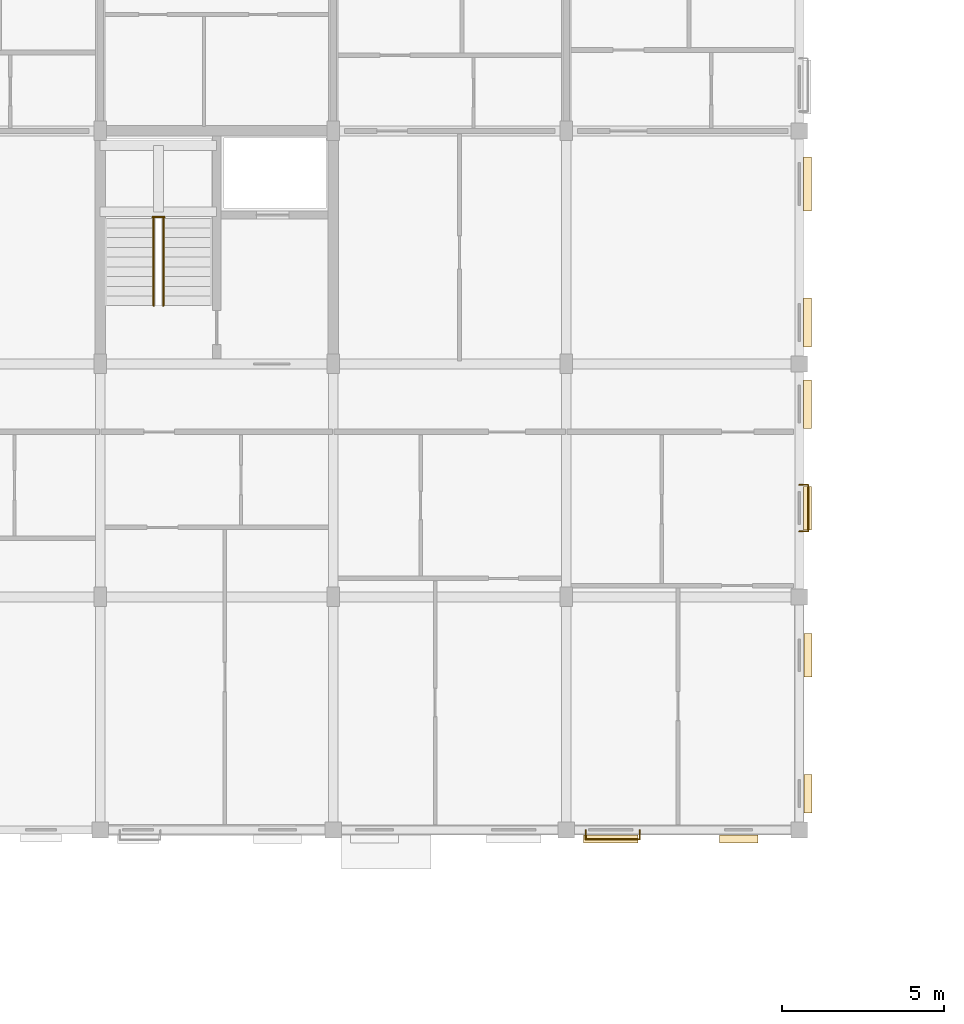
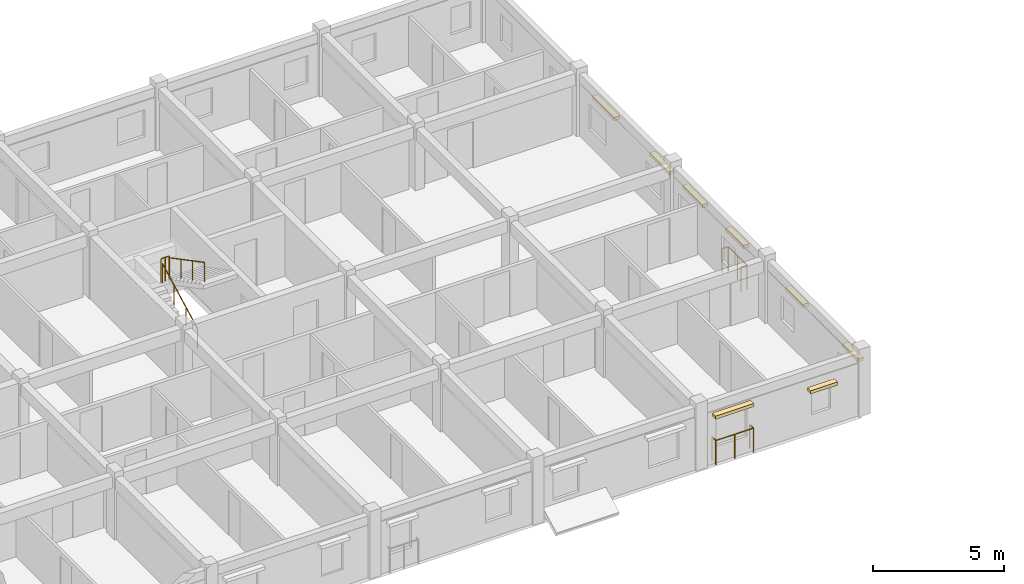
# One storey, part 37 of 38: 8 coverings, 5 railings.
"""IFC4 building model written with IfcOpenShell, lengths in metres."""

from ifc_helpers import new_model, si_unit, direction, frame, origin, origin_2d, place, context, subcontext, project, spatial, rectangle, circle, extrude, material, layer, layer_set, type_object, element, save


model = new_model("IFC4")

# Units and contexts
model_context = context("Model", 3, precision=1e-05, world=origin(), true_north=direction((0.0, 1.0)))
body_context = subcontext(model_context, "Body", "Model", "MODEL_VIEW")
ifc_project = project(units=[si_unit("LENGTHUNIT", "METRE"), si_unit("AREAUNIT", "SQUARE_METRE"), si_unit("VOLUMEUNIT", "CUBIC_METRE"), si_unit("PLANEANGLEUNIT", "RADIAN"), si_unit("MASSUNIT", "GRAM", prefix="KILO"), si_unit("THERMODYNAMICTEMPERATUREUNIT", "KELVIN"), si_unit("POWERUNIT", "WATT")], contexts=[model_context])

# Site, building, storey
site_placement = place(None, origin())
site = spatial("IfcSite", under=ifc_project, at=site_placement, CompositionType="ELEMENT")
building_placement = place(site_placement, origin())
building = spatial("IfcBuilding", under=site, at=building_placement, Name="Tavuni Mirador Residences", CompositionType="ELEMENT")
storey_placement = place(building_placement, frame((0.0, 0.0, 32.85009765625)))
storey = spatial("IfcBuildingStorey", under=building, at=storey_placement, Name="L10", CompositionType="ELEMENT", Elevation=32.85009765625)

# Coverings
ifc_material_1 = material(Name="Natural coral limestone", Category="masonry")
ifc_layer = layer(ifc_material_1, 0.054931640625, Name="Natural coral limestone", Category="masonry")
ifc_layer_set = layer_set([ifc_layer], Name="Natural coral limestone")
covering_type = type_object("IfcCoveringType", Name="CVT-CLAD-CORAL", PredefinedType="CLADDING", material=ifc_layer_set)
covering_1_placement = place(storey_placement, frame((55.375, 143.7255859375, 2.244873046875), z_axis=(0.0, 0.0, 1.0), x_axis=(1.0, 0.0, 0.0)))
element("IfcCovering", 1, at=covering_1_placement, inside=storey, type_object=covering_type, Name="HOOD-0768", PredefinedType="CLADDING", context=body_context, shape_type="SweptSolid", body=[
    extrude(rectangle(XDim=1.68994140625, YDim=0.25, at=origin_2d()), origin(), (0.0, 0.0, 1.0), 0.14990234375),
])
for number, where, z_axis, x_axis, name in (
    (2, (59.324951171875, 143.7255859375, 1.954833984375), (0.0, 0.0, 1.0), (1.0, 0.0, 0.0), "HOOD-0769"),
    (3, (61.467041015625, 145.125, 1.954833984375), (0.0, 0.0, 1.0), (0.0, 1.0, 0.0), "HOOD-0770"),
):
    element("IfcCovering", number, at=place(storey_placement, frame(where, z_axis=z_axis, x_axis=x_axis)), inside=storey, type_object=covering_type, Name=name, PredefinedType="CLADDING", context=body_context, shape_type="SweptSolid", body=[
        extrude(rectangle(XDim=1.18994140625, YDim=0.25, at=origin_2d()), origin(), (0.0, 0.0, 1.0), 0.14990234375),
    ])
for number, where, z_axis, x_axis, name in (
    (4, (61.467041015625, 149.39990234375, 1.954833984375), (0.0, 0.0, 1.0), (0.0, 1.0, 0.0), "HOOD-0771"),
    (5, (61.45947265625, 153.945068359375, 1.954833984375), (0.0, 0.0, 1.0), (0.0, 1.0, 0.0), "HOOD-0772"),
):
    element("IfcCovering", number, at=place(storey_placement, frame(where, z_axis=z_axis, x_axis=x_axis)), inside=storey, type_object=covering_type, Name=name, PredefinedType="CLADDING", context=body_context, shape_type="SweptSolid", body=[
        extrude(rectangle(XDim=1.340087890625, YDim=0.25, at=origin_2d()), origin(), (0.0, 0.0, 1.0), 0.14990234375),
    ])
for number, where, z_axis, x_axis, name in (
    (6, (61.45947265625, 157.155029296875, 1.954833984375), (0.0, 0.0, 1.0), (0.0, 1.0, 0.0), "HOOD-0773"),
    (7, (61.449462890625, 159.679931640625, 1.954833984375), (0.0, 0.0, 1.0), (0.0, 1.0, 0.0), "HOOD-0774"),
):
    element("IfcCovering", number, at=place(storey_placement, frame(where, z_axis=z_axis, x_axis=x_axis)), inside=storey, type_object=covering_type, Name=name, PredefinedType="CLADDING", context=body_context, shape_type="SweptSolid", body=[
        extrude(rectangle(XDim=1.5, YDim=0.25, at=origin_2d()), origin(), (0.0, 0.0, 1.0), 0.14990234375),
    ])
covering_2_placement = place(storey_placement, frame((61.449462890625, 163.9599609375, 1.954833984375), z_axis=(0.0, 0.0, 1.0), x_axis=(0.0, 1.0, 0.0)))
element("IfcCovering", 8, at=covering_2_placement, inside=storey, type_object=covering_type, Name="HOOD-0775", PredefinedType="CLADDING", context=body_context, shape_type="SweptSolid", body=[
    extrude(rectangle(XDim=1.659912109375, YDim=0.25, at=origin_2d()), origin(), (0.0, 0.0, 1.0), 0.14990234375),
])

# Railings
ifc_material_2 = material(Name="Structural steel S355", Category="steel")
railing_type_1 = type_object("IfcRailingType", Name="RT-BL1150", PredefinedType="BALUSTRADE", material=ifc_material_2)
railing_1_placement = place(storey_placement, frame((54.60009765625, 144.0, 0.039794921875)))
element("IfcRailing", 9, at=railing_1_placement, inside=storey, type_object=railing_type_1, Name="BALC-BLK-C-L10-S06", PredefinedType="BALUSTRADE", context=body_context, shape_type="SweptSolid", body=[
    extrude(circle(Radius=0.02392578125, at=origin_2d()), frame((0.0, 0.0, 1.1259765625), z_axis=(0.0, -1.0, 0.0), x_axis=(1.0, 0.0, 0.0)), (0.0, 0.0, 1.0), 0.29248046875),
    extrude(circle(Radius=0.02392578125, at=origin_2d()), frame((0.0, -0.29248046875, 1.1259765625), z_axis=(1.0, 0.0, 0.0), x_axis=(0.0, 1.0, 0.0)), (0.0, 0.0, 1.0), 1.669921875),
    extrude(circle(Radius=0.02392578125, at=origin_2d()), frame((1.669921875, -0.29248046875, 1.1259765625), z_axis=(0.0, 1.0, 0.0), x_axis=(-1.0, 0.0, 0.0)), (0.0, 0.0, 1.0), 0.29248046875),
    extrude(circle(Radius=0.02099609375, at=origin_2d()), origin(), (0.0, 0.0, 1.0), 1.101806640625),
    extrude(circle(Radius=0.02099609375, at=origin_2d()), frame((0.0, -0.29248046875, 0.0)), (0.0, 0.0, 1.0), 1.101806640625),
    extrude(circle(Radius=0.02099609375, at=origin_2d()), frame((0.8349609375, -0.29248046875, 0.0)), (0.0, 0.0, 1.0), 1.101806640625),
    extrude(circle(Radius=0.02099609375, at=origin_2d()), frame((1.669921875, -0.29248046875, 0.0)), (0.0, 0.0, 1.0), 1.101806640625),
    extrude(circle(Radius=0.02099609375, at=origin_2d()), frame((1.669921875, 0.0, 0.0)), (0.0, 0.0, 1.0), 1.101806640625),
])
railing_2_placement = place(storey_placement, frame((61.199951171875, 153.22509765625, 0.039794921875)))
element("IfcRailing", 10, at=railing_2_placement, inside=storey, type_object=railing_type_1, Name="BALC-BLK-C-L10-E01", PredefinedType="BALUSTRADE", context=body_context, shape_type="SweptSolid", body=[
    extrude(circle(Radius=0.02392578125, at=origin_2d()), frame((0.0, 0.0, 1.1259765625), z_axis=(1.0, 0.0, 0.0), x_axis=(0.0, 1.0, 0.0)), (0.0, 0.0, 1.0), 0.277587890625),
    extrude(circle(Radius=0.02392578125, at=origin_2d()), frame((0.277587890625, 0.0, 1.1259765625), z_axis=(0.0, 1.0, 0.0), x_axis=(-1.0, 0.0, 0.0)), (0.0, 0.0, 1.0), 1.43994140625),
    extrude(circle(Radius=0.02392578125, at=origin_2d()), frame((0.277587890625, 1.43994140625, 1.1259765625), z_axis=(-1.0, 0.0, 0.0), x_axis=(0.0, -1.0, 0.0)), (0.0, 0.0, 1.0), 0.277587890625),
    extrude(circle(Radius=0.02099609375, at=origin_2d()), origin(), (0.0, 0.0, 1.0), 1.101806640625),
    extrude(circle(Radius=0.02099609375, at=origin_2d()), frame((0.277587890625, 0.0, 0.0)), (0.0, 0.0, 1.0), 1.101806640625),
    extrude(circle(Radius=0.02099609375, at=origin_2d()), frame((0.277587890625, 0.719970703125, 0.0)), (0.0, 0.0, 1.0), 1.101806640625),
    extrude(circle(Radius=0.02099609375, at=origin_2d()), frame((0.277587890625, 1.43994140625, 0.0)), (0.0, 0.0, 1.0), 1.101806640625),
    extrude(circle(Radius=0.02099609375, at=origin_2d()), frame((0.0, 1.43994140625, 0.0)), (0.0, 0.0, 1.0), 1.101806640625),
])
railing_type_2 = type_object("IfcRailingType", Name="RT-GR1120", PredefinedType="GUARDRAIL", material=ifc_material_2)
railing_3_placement = place(storey_placement, frame((41.219970703125, 162.93994140625, 1.574951171875)))
element("IfcRailing", 11, at=railing_3_placement, inside=storey, type_object=railing_type_2, Name="GRD-HL-ST6-L10", PredefinedType="GUARDRAIL", context=body_context, shape_type="SweptSolid", body=[
    extrude(circle(Radius=0.02392578125, at=origin_2d()), frame((0.0, 0.0, 1.09619140625), z_axis=(1.0, 0.0, 0.0), x_axis=(0.0, 1.0, 0.0)), (0.0, 0.0, 1.0), 0.360107421875),
    extrude(circle(Radius=0.02099609375, at=origin_2d()), origin(), (0.0, 0.0, 1.0), 1.072021484375),
    extrude(circle(Radius=0.02099609375, at=origin_2d()), frame((0.18017578125, 0.0, 0.0)), (0.0, 0.0, 1.0), 1.072021484375),
    extrude(circle(Radius=0.02099609375, at=origin_2d()), frame((0.360107421875, 0.0, 0.0)), (0.0, 0.0, 1.0), 1.072021484375),
])
railing_type_3 = type_object("IfcRailingType", Name="RT-HR920", PredefinedType="HANDRAIL", material=ifc_material_2)
railing_4_placement = place(storey_placement, frame((41.25, 160.199951171875, 0.157470703125)))
element("IfcRailing", 12, at=railing_4_placement, inside=storey, type_object=railing_type_3, Name="HR-ST6-L10-F1", PredefinedType="HANDRAIL", context=body_context, shape_type="SweptSolid", body=[
    extrude(circle(Radius=0.02392578125, at=origin_2d()), frame((0.0, 0.0, 0.89599609375), z_axis=(0.0, 0.885397079081, 0.464835468048), x_axis=(-1.0, 0.0, 0.0)), (0.0, 0.0, 1.0), 3.04931640625),
    extrude(circle(Radius=0.02099609375, at=origin_2d()), origin(), (0.0, 0.0, 1.0), 0.871826171875),
    extrude(circle(Radius=0.02099609375, at=origin_2d()), frame((0.0, 0.89990234375, 0.472412109375)), (0.0, 0.0, 1.0), 0.871826171875),
    extrude(circle(Radius=0.02099609375, at=origin_2d()), frame((0.0, 1.800048828125, 0.945068359375)), (0.0, 0.0, 1.0), 0.871826171875),
    extrude(circle(Radius=0.02099609375, at=origin_2d()), frame((0.0, 2.699951171875, 1.41748046875)), (0.0, 0.0, 1.0), 0.871826171875),
])
railing_5_placement = place(storey_placement, frame((41.550048828125, 162.89990234375, 1.732421875)))
element("IfcRailing", 13, at=railing_5_placement, inside=storey, type_object=railing_type_3, Name="HR-ST6-L10-F2", PredefinedType="HANDRAIL", context=body_context, shape_type="SweptSolid", body=[
    extrude(circle(Radius=0.02392578125, at=origin_2d()), frame((0.0, 0.0, 0.89599609375), z_axis=(0.0, -0.885397079081, 0.464835468048), x_axis=(1.0, 0.0, 0.0)), (0.0, 0.0, 1.0), 3.04931640625),
    extrude(circle(Radius=0.02099609375, at=origin_2d()), origin(), (0.0, 0.0, 1.0), 0.871826171875),
    extrude(circle(Radius=0.02099609375, at=origin_2d()), frame((0.0, -0.89990234375, 0.472412109375)), (0.0, 0.0, 1.0), 0.871826171875),
    extrude(circle(Radius=0.02099609375, at=origin_2d()), frame((0.0, -1.800048828125, 0.945068359375)), (0.0, 0.0, 1.0), 0.871826171875),
    extrude(circle(Radius=0.02099609375, at=origin_2d()), frame((0.0, -2.699951171875, 1.41748046875)), (0.0, 0.0, 1.0), 0.871826171875),
])

save(model, "model.ifc")
